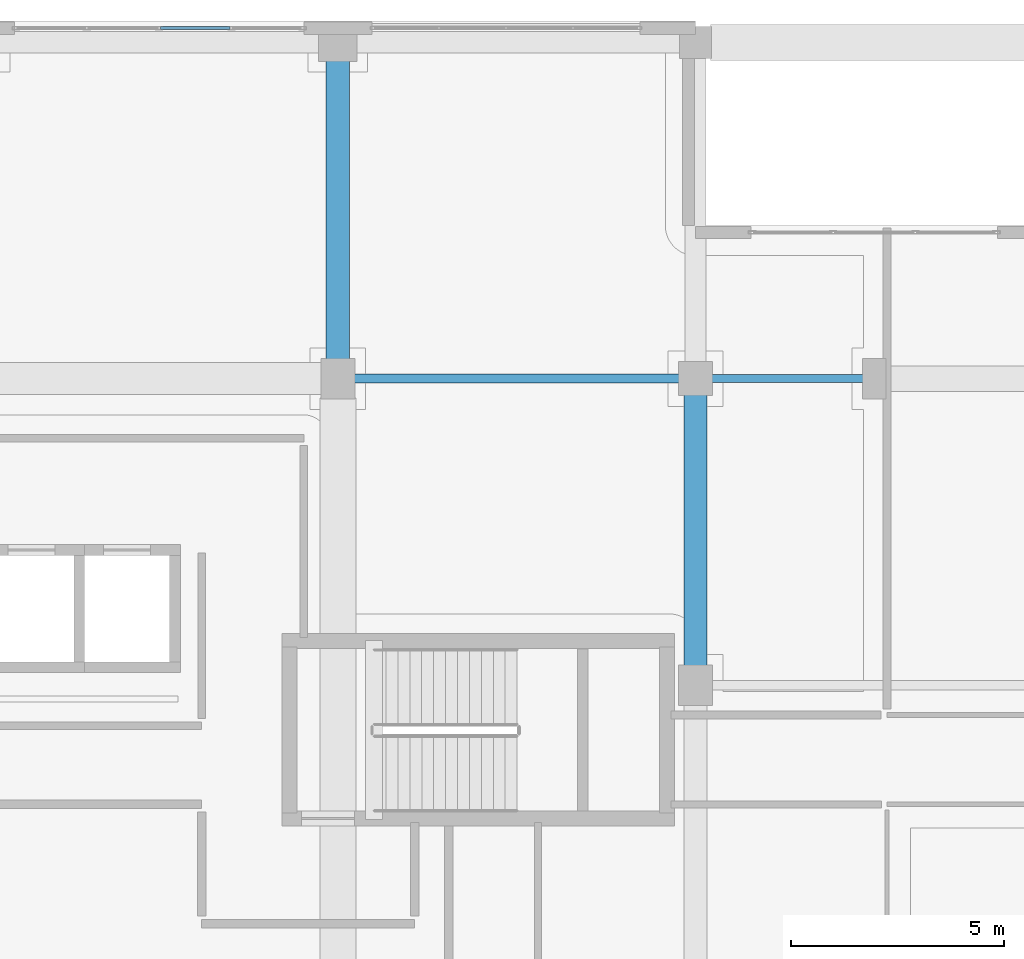
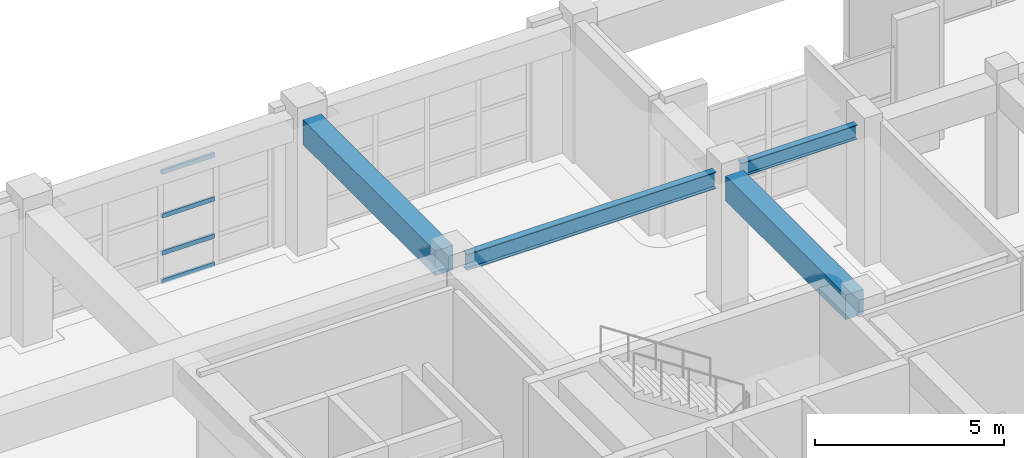
# One storey, part 64 of 123: 4 beams, 4 members, 1 element without a shape of its own.
"""IFC4 building model written with IfcOpenShell, lengths in metres."""

from ifc_helpers import new_model, si_unit, direction, frame, origin, origin_2d, place, context, subcontext, project, spatial, rectangle, hollow_rectangle, i_section, extrude, material, layer, layer_set, material_profile, profile_set, type_object, element, aggregate, save


model = new_model("IFC4")

# Units and contexts
model_context = context("Model", 3, precision=1e-05, world=origin(), true_north=direction((0.0, 1.0)))
body_context = subcontext(model_context, "Body", "Model", "MODEL_VIEW")
ifc_project = project(units=[si_unit("LENGTHUNIT", "METRE"), si_unit("AREAUNIT", "SQUARE_METRE"), si_unit("VOLUMEUNIT", "CUBIC_METRE"), si_unit("PLANEANGLEUNIT", "RADIAN"), si_unit("MASSUNIT", "GRAM", prefix="KILO")], contexts=[model_context])

# Site, building, storey
site_placement = place(None, origin())
site = spatial("IfcSite", under=ifc_project, at=site_placement, CompositionType="ELEMENT")
building_placement = place(site_placement, origin())
building = spatial("IfcBuilding", under=site, at=building_placement, Name="Quendrovan Civic Courthouse", CompositionType="ELEMENT")
storey_placement = place(building_placement, frame((0.0, 0.0, 5.39990234375)))
storey = spatial("IfcBuildingStorey", under=building, at=storey_placement, Name="L02", CompositionType="ELEMENT", Elevation=5.39990234375)

# Beams
ifc_material_1 = material(Name="Concrete C40/50", Category="concrete")
ifc_material_profile_1 = material_profile(ifc_material_1, rectangle(XDim=0.550048828125, YDim=0.800048828125, at=origin_2d()), Name="RC-BM-550x800")
ifc_profile_set_1 = profile_set([ifc_material_profile_1], Name="Concrete C40/50")
beam_type_1 = type_object("IfcBeamType", Name="BM-RC800", PredefinedType="BEAM", material=ifc_profile_set_1)
beam_1_placement = place(storey_placement, frame((84.0, 102.455078125, 3.960205078125), z_axis=(0.0, 1.0, 0.0), x_axis=(-1.0, 0.0, 0.0)))
element("IfcBeam", 1, at=beam_1_placement, inside=storey, type_object=beam_type_1, Name="L02 Girder Y0674", PredefinedType="BEAM", context=body_context, shape_type="SweptSolid", body=[
    extrude(rectangle(XDim=0.550048828125, YDim=0.800048828125, at=origin_2d()), origin(), (0.0, 0.0, 1.0), 7.014892578125),
])
beam_2_placement = place(storey_placement, frame((92.39990234375, 95.2548828125, 3.960205078125), z_axis=(0.0, 1.0, 0.0), x_axis=(-1.0, 0.0, 0.0)))
element("IfcBeam", 2, at=beam_2_placement, inside=storey, type_object=beam_type_1, Name="L02 Girder Y0681", PredefinedType="BEAM", context=body_context, shape_type="SweptSolid", body=[
    extrude(rectangle(XDim=0.550048828125, YDim=0.800048828125, at=origin_2d()), origin(), (0.0, 0.0, 1.0), 6.365234375),
])
ifc_material_2 = material(Name="Steel ASTM A992 Grade 50", Category="steel")
ifc_material_profile_2 = material_profile(ifc_material_2, i_section(OverallWidth=0.18994140625, OverallDepth=0.45703125, WebThickness=0.009033203125, FlangeThickness=0.014404296875, at=origin_2d()), Name="W18X50")
ifc_profile_set_2 = profile_set([ifc_material_profile_2], Name="Steel ASTM A992 Grade 50")
beam_type_2 = type_object("IfcBeamType", Name="BM-STL-W18", PredefinedType="JOIST", material=ifc_profile_set_2)
beam_3_placement = place(storey_placement, frame((92.780029296875, 102.0, 4.131591796875), z_axis=(1.0, 0.0, 0.0), x_axis=(0.0, 1.0, 0.0)))
element("IfcBeam", 3, at=beam_3_placement, inside=storey, type_object=beam_type_2, Name="L02 Girder X0580", PredefinedType="JOIST", context=body_context, shape_type="SweptSolid", body=[
    extrude(i_section(OverallWidth=0.18994140625, OverallDepth=0.45703125, WebThickness=0.009033203125, FlangeThickness=0.014404296875, at=origin_2d()), origin(), (0.0, 0.0, 1.0), 3.56494140625),
])
ifc_material_profile_3 = material_profile(ifc_material_2, i_section(OverallWidth=0.208984375, OverallDepth=0.532958984375, WebThickness=0.01025390625, FlangeThickness=0.015625, at=origin_2d()), Name="W21X62")
ifc_profile_set_3 = profile_set([ifc_material_profile_3], Name="Steel ASTM A992 Grade 50")
beam_type_3 = type_object("IfcBeamType", Name="BM-STL-W21", PredefinedType="JOIST", material=ifc_profile_set_3)
beam_4_placement = place(storey_placement, frame((84.3798828125, 102.0, 4.093505859375), z_axis=(1.0, 0.0, 0.0), x_axis=(0.0, 1.0, 0.0)))
element("IfcBeam", 4, at=beam_4_placement, inside=storey, type_object=beam_type_3, Name="L02 Girder X0579", PredefinedType="JOIST", context=body_context, shape_type="SweptSolid", body=[
    extrude(i_section(OverallWidth=0.208984375, OverallDepth=0.532958984375, WebThickness=0.01025390625, FlangeThickness=0.015625, at=origin_2d()), origin(), (0.0, 0.0, 1.0), 7.64013671875),
])

# Curtain wall, members
ifc_material_3 = material(Name="Bronze anodised aluminium and low-E glass", Category="aluminium")
ifc_layer = layer(ifc_material_3, 0.179931640625, Name="Bronze anodised aluminium and low-E glass")
ifc_layer_set = layer_set([ifc_layer], Name="Bronze anodised aluminium and low-E glass")
curtain_wall_type = type_object("IfcCurtainWallType", Name="CW-U68x36", PredefinedType="USERDEFINED", material=ifc_layer_set)
curtain_wall_placement = place(storey_placement, origin())
curtain_wall = element("IfcCurtainWall", 5, at=curtain_wall_placement, inside=storey, type_object=curtain_wall_type, Name="L02 Unitised Hurricane Curtain Wall CW-086", ObjectType="UNITISED CURTAIN WALL", PredefinedType="USERDEFINED")
ifc_material_4 = material(Name="Bronze anodised aluminium", Category="aluminium")
ifc_material_profile_4 = material_profile(ifc_material_4, hollow_rectangle(XDim=0.070068359375, YDim=0.139892578125, WallThickness=0.00390625, at=origin_2d()), Name="CW-TRAN-70x140")
ifc_profile_set_4 = profile_set([ifc_material_profile_4], Name="Bronze anodised aluminium")
member_type = type_object("IfcMemberType", Name="CW-TRAN-A", PredefinedType="USERDEFINED", material=ifc_profile_set_4)
member_1_placement = place(storey_placement, frame((79.8349609375, 110.235107421875, 0.03515625), z_axis=(1.0, 0.0, 0.0), x_axis=(0.0, 1.0, 0.0)))
member_1 = element("IfcMember", 6, at=member_1_placement, type_object=member_type, Name="CW-086 transom 3.1", ObjectType="TRANSOM", PredefinedType="USERDEFINED", context=body_context, shape_type="SweptSolid", body=[
    extrude(hollow_rectangle(XDim=0.070068359375, YDim=0.139892578125, WallThickness=0.00390625, at=origin_2d()), origin(), (0.0, 0.0, 1.0), 1.630126953125),
])
member_2_placement = place(storey_placement, frame((79.8349609375, 110.235107421875, 0.9501953125), z_axis=(1.0, 0.0, 0.0), x_axis=(0.0, 1.0, 0.0)))
member_2 = element("IfcMember", 7, at=member_2_placement, type_object=member_type, Name="CW-086 transom 3.2", ObjectType="TRANSOM", PredefinedType="USERDEFINED", context=body_context, shape_type="SweptSolid", body=[
    extrude(hollow_rectangle(XDim=0.070068359375, YDim=0.139892578125, WallThickness=0.00390625, at=origin_2d()), origin(), (0.0, 0.0, 1.0), 1.630126953125),
])
member_3_placement = place(storey_placement, frame((79.8349609375, 110.235107421875, 2.150146484375), z_axis=(1.0, 0.0, 0.0), x_axis=(0.0, 1.0, 0.0)))
member_3 = element("IfcMember", 8, at=member_3_placement, type_object=member_type, Name="CW-086 transom 3.3", ObjectType="TRANSOM", PredefinedType="USERDEFINED", context=body_context, shape_type="SweptSolid", body=[
    extrude(hollow_rectangle(XDim=0.070068359375, YDim=0.139892578125, WallThickness=0.00390625, at=origin_2d()), origin(), (0.0, 0.0, 1.0), 1.630126953125),
])
member_4_placement = place(storey_placement, frame((79.8349609375, 110.235107421875, 3.565185546875), z_axis=(1.0, 0.0, 0.0), x_axis=(0.0, 1.0, 0.0)))
member_4 = element("IfcMember", 9, at=member_4_placement, type_object=member_type, Name="CW-086 transom 3.4", ObjectType="TRANSOM", PredefinedType="USERDEFINED", context=body_context, shape_type="SweptSolid", body=[
    extrude(hollow_rectangle(XDim=0.070068359375, YDim=0.139892578125, WallThickness=0.00390625, at=origin_2d()), origin(), (0.0, 0.0, 1.0), 1.630126953125),
])
aggregate(curtain_wall, [member_1, member_2, member_3, member_4])

save(model, "model.ifc")
